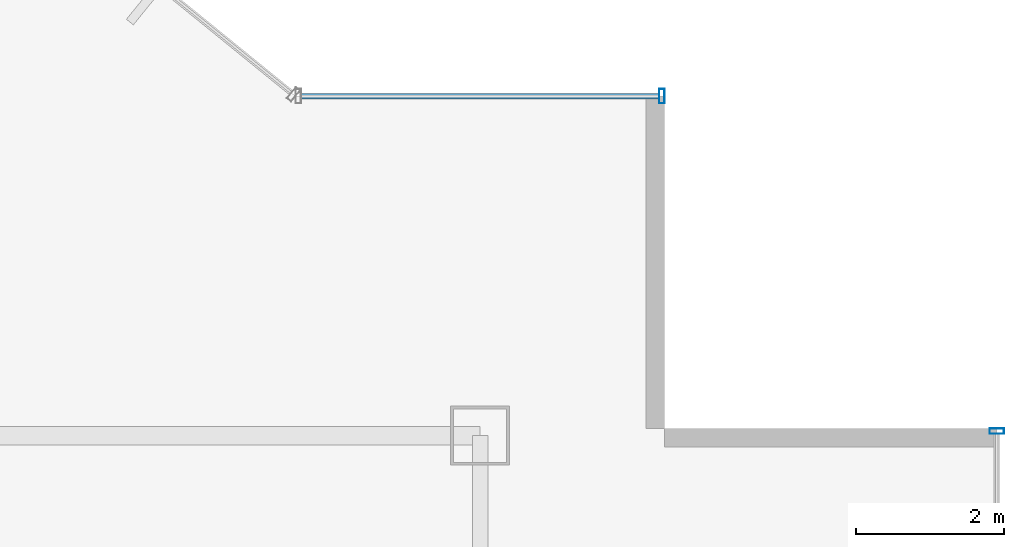
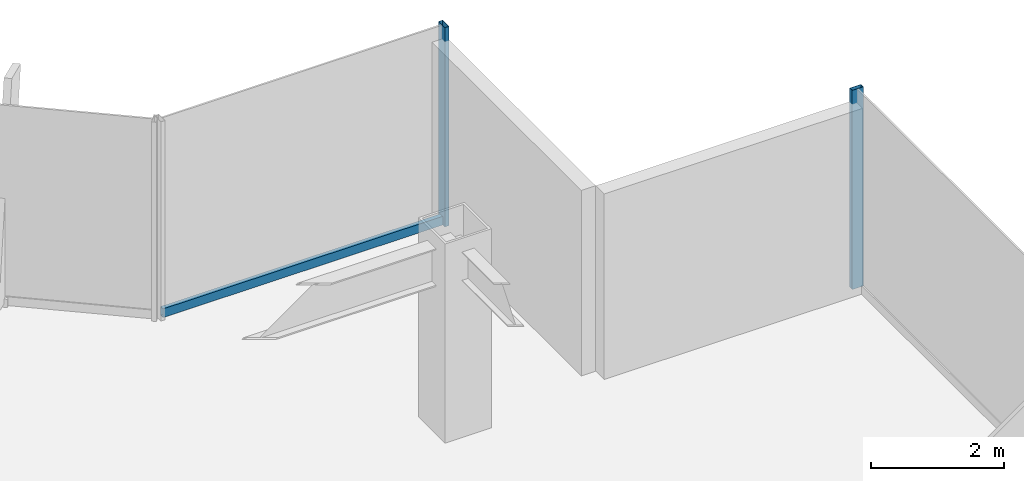
# One storey, part 19 of 26: 3 members, 2 elements without a shape of their own.
"""IFC4 building model written with IfcOpenShell, lengths in metres."""

from ifc_helpers import new_model, si_unit, derived_unit, direction, frame, origin, origin_2d, place, context, subcontext, project, spatial, hollow_rectangle, extrude, source, transform, mapped, material, material_profile, profile_set, type_object, element, aggregate, save


model = new_model("IFC4")

# Units and contexts
model_context = context("Model", 3, precision=1e-05, world=origin(), true_north=direction((0.0, 1.0)))
body_context = subcontext(model_context, "Body", "Model", "MODEL_VIEW")
ifc_project = project(units=[si_unit("LENGTHUNIT", "METRE"), si_unit("AREAUNIT", "SQUARE_METRE"), si_unit("VOLUMEUNIT", "CUBIC_METRE"), si_unit("PLANEANGLEUNIT", "RADIAN"), si_unit("MASSUNIT", "GRAM", prefix="KILO"), derived_unit("THERMALTRANSMITTANCEUNIT", [(si_unit("POWERUNIT", "WATT"), 1), (si_unit("LENGTHUNIT", "METRE"), -2), (si_unit("THERMODYNAMICTEMPERATUREUNIT", "KELVIN"), -1)])], contexts=[model_context])

# Site, building, storey
site_placement = place(None, origin())
site = spatial("IfcSite", under=ifc_project, at=site_placement, CompositionType="ELEMENT")
building_placement = place(site_placement, origin())
building = spatial("IfcBuilding", under=site, at=building_placement, Name="Skarnbrae Concourse Arena and Tower", CompositionType="ELEMENT")
storey_placement = place(building_placement, frame((0.0, 0.0, 125.14990234375)))
storey = spatial("IfcBuildingStorey", under=building, at=storey_placement, Name="L31", CompositionType="ELEMENT", Elevation=125.14990234375)

# Curtain wall, member
ifc_material = material(Name="Bronze anodised aluminium 6063-T6", Category="aluminium")
curtain_wall_type = type_object("IfcCurtainWallType", Name="CW-SYS-04-MIDZONE", PredefinedType="USERDEFINED", material=ifc_material)
curtain_wall_1_placement = place(storey_placement, origin())
curtain_wall_1 = element("IfcCurtainWall", 1, at=curtain_wall_1_placement, inside=storey, type_object=curtain_wall_type, Name="L31 Unitised curtain wall CW-L31-E04", ObjectType="UNITISED CURTAIN WALL", PredefinedType="USERDEFINED")
ifc_material_profile_1 = material_profile(ifc_material, hollow_rectangle(XDim=0.074951171875, YDim=0.195068359375, WallThickness=0.00439453125, at=origin_2d()), Name="ALU-MULL-75X195")
ifc_profile_set_1 = profile_set([ifc_material_profile_1], Name="Bronze anodised aluminium 6063-T6")
member_type_1 = type_object("IfcMemberType", Name="CWM-CW-04", PredefinedType="MULLION", material=ifc_profile_set_1)
shared_shape_1 = source(origin(), body_context, "Body", "SweptSolid", [
    extrude(hollow_rectangle(XDim=0.074951171875, YDim=0.195068359375, WallThickness=0.00439453125, at=origin_2d()), origin(), (0.0, 0.0, 1.0), 3.650146484375),
])
member_1_placement = place(storey_placement, frame((56.0, 34.46240234375, 0.0), z_axis=(0.0, 0.0, 1.0), x_axis=(0.0, 1.0, 0.0)))
member_1 = element("IfcMember", 2, at=member_1_placement, type_object=member_type_1, Name="CW-L31-E04 Mullion 5", PredefinedType="MULLION", context=body_context, shape_type="MappedRepresentation", body=[
    mapped(shared_shape_1, transform((0.0, 0.0, 0.0))),
])
aggregate(curtain_wall_1, [member_1])

# Curtain wall, members
curtain_wall_2_placement = place(storey_placement, origin())
curtain_wall_2 = element("IfcCurtainWall", 3, at=curtain_wall_2_placement, inside=storey, type_object=curtain_wall_type, Name="L31 Unitised curtain wall CW-L31-E07", ObjectType="UNITISED CURTAIN WALL", PredefinedType="USERDEFINED")
member_2_placement = place(storey_placement, frame((51.46240234375, 39.0, 0.0), z_axis=(0.0, 0.0, 1.0), x_axis=(-1.0, 0.0, 0.0)))
member_2 = element("IfcMember", 4, at=member_2_placement, type_object=member_type_1, Name="CW-L31-E07 Mullion 1", PredefinedType="MULLION", context=body_context, shape_type="MappedRepresentation", body=[
    mapped(shared_shape_1, transform((0.0, 0.0, 0.0))),
])
ifc_material_profile_2 = material_profile(ifc_material, hollow_rectangle(XDim=0.074951171875, YDim=0.159912109375, WallThickness=0.00439453125, at=origin_2d()), Name="ALU-TRAN-75X160")
ifc_profile_set_2 = profile_set([ifc_material_profile_2], Name="Bronze anodised aluminium 6063-T6")
member_type_2 = type_object("IfcMemberType", Name="CWT-CW-04", PredefinedType="USERDEFINED", material=ifc_profile_set_2)
shared_shape_2 = source(origin(), body_context, "Body", "SweptSolid", [
    extrude(hollow_rectangle(XDim=0.074951171875, YDim=0.159912109375, WallThickness=0.00439453125, at=origin_2d()), origin(), (0.0, 0.0, 1.0), 4.85009765625),
])
member_3_placement = place(storey_placement, frame((51.425048828125, 39.0, 0.080078125), z_axis=(-1.0, 0.0, 0.0), x_axis=(0.0, -1.0, 0.0)))
member_3 = element("IfcMember", 5, at=member_3_placement, type_object=member_type_2, Name="CW-L31-E07 Transom 1", ObjectType="TRANSOM", PredefinedType="USERDEFINED", context=body_context, shape_type="MappedRepresentation", body=[
    mapped(shared_shape_2, transform((0.0, 0.0, 0.0))),
])
aggregate(curtain_wall_2, [member_2, member_3])

save(model, "model.ifc")
